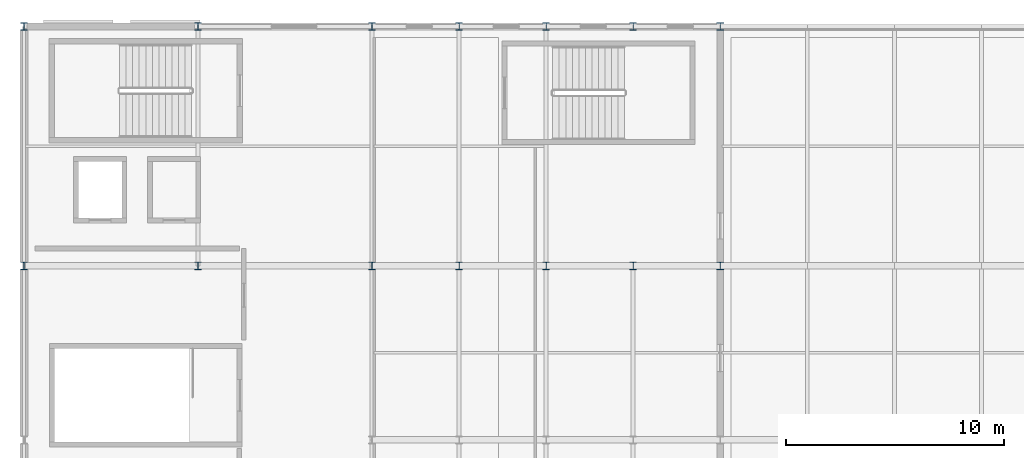
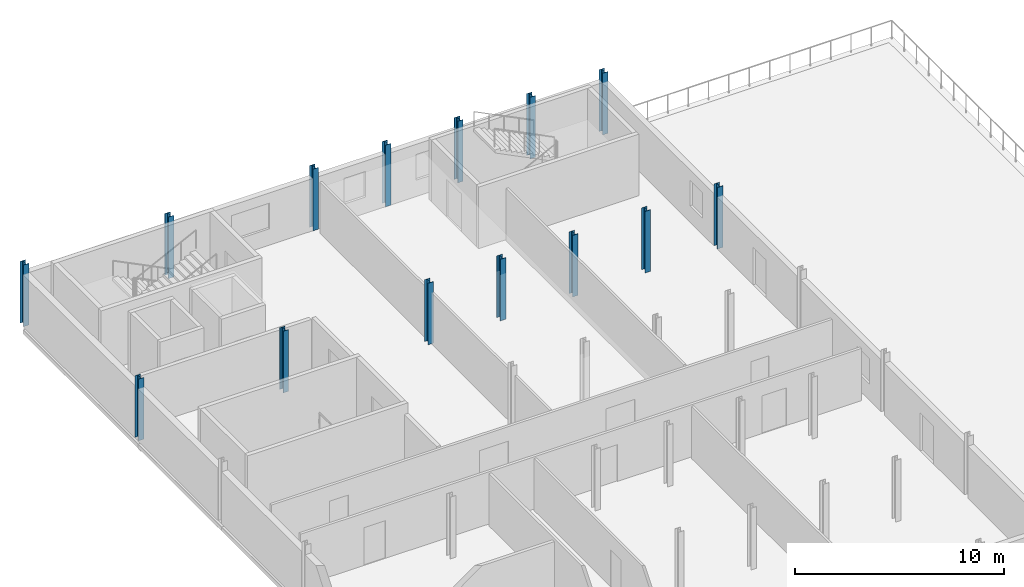
# One storey, part 2 of 11: 14 columns.
"""IFC4 building model written with IfcOpenShell, lengths in metres."""

from ifc_helpers import new_model, si_unit, derived_unit, direction, frame, origin, origin_2d, place, context, subcontext, project, spatial, i_section, extrude, material, material_profile, profile_set, type_object, element, save


model = new_model("IFC4")

# Units and contexts
model_context = context("Model", 3, precision=1e-05, world=origin(), true_north=direction((0.0, 1.0)))
body_context = subcontext(model_context, "Body", "Model", "MODEL_VIEW")
ifc_project = project(units=[si_unit("LENGTHUNIT", "METRE"), si_unit("AREAUNIT", "SQUARE_METRE"), si_unit("VOLUMEUNIT", "CUBIC_METRE"), si_unit("PLANEANGLEUNIT", "RADIAN"), si_unit("MASSUNIT", "GRAM", prefix="KILO"), derived_unit("THERMALTRANSMITTANCEUNIT", [(si_unit("POWERUNIT", "WATT"), 1), (si_unit("LENGTHUNIT", "METRE"), -2), (si_unit("THERMODYNAMICTEMPERATUREUNIT", "KELVIN"), -1)])], contexts=[model_context])

# Site, building, storey
site_placement = place(None, origin())
site = spatial("IfcSite", under=ifc_project, at=site_placement, CompositionType="ELEMENT")
building_placement = place(site_placement, origin())
building = spatial("IfcBuilding", under=site, at=building_placement, Name="Keldorne Ridge Multi-Sports Centre", CompositionType="ELEMENT")
storey_placement = place(building_placement, frame((0.0, 0.0, 18.60009765625)))
storey = spatial("IfcBuildingStorey", under=building, at=storey_placement, Name="L04", CompositionType="ELEMENT", Elevation=18.60009765625)

# Columns
ifc_material = material(Name="Steel S355", Category="steel")
ifc_material_profile = material_profile(ifc_material, i_section(OverallWidth=0.300048828125, OverallDepth=0.35009765625, WebThickness=0.010009765625, FlangeThickness=0.017578125, FilletRadius=0.027099609375, at=origin_2d()), Name="HEA 360")
ifc_profile_set = profile_set([ifc_material_profile], Name="Steel S355")
column_type = type_object("IfcColumnType", Name="COL-C-16", PredefinedType="COLUMN", material=ifc_profile_set)
for number, where, z_axis, x_axis, name in (
    (1, (104.0, 106.0, 0.0), (0.0, 0.0, 1.0), (1.0, 0.0, 0.0), "Structural column V5-C-01-06 on L04"),
    (2, (104.0, 117.0, 0.0), (0.0, 0.0, 1.0), (1.0, 0.0, 0.0), "Structural column V5-C-01-07 on L04"),
    (3, (112.0, 106.0, 0.0), (0.0, 0.0, 1.0), (1.0, 0.0, 0.0), "Structural column V5-C-02-06 on L04"),
    (4, (112.0, 117.0, 0.0), (0.0, 0.0, 1.0), (1.0, 0.0, 0.0), "Structural column V5-C-02-07 on L04"),
    (5, (120.0, 106.0, 0.0), (0.0, 0.0, 1.0), (1.0, 0.0, 0.0), "Structural column V5-C-03-06 on L04"),
    (6, (120.0, 117.0, 0.0), (0.0, 0.0, 1.0), (1.0, 0.0, 0.0), "Structural column V5-C-03-07 on L04"),
    (7, (124.0, 106.0, 0.0), (0.0, 0.0, 1.0), (1.0, 0.0, 0.0), "Structural column V5-C-04-06 on L04"),
    (8, (124.0, 117.0, 0.0), (0.0, 0.0, 1.0), (1.0, 0.0, 0.0), "Structural column V5-C-04-07 on L04"),
    (9, (128.0, 106.0, 0.0), (0.0, 0.0, 1.0), (1.0, 0.0, 0.0), "Structural column V5-C-05-06 on L04"),
    (10, (128.0, 117.0, 0.0), (0.0, 0.0, 1.0), (1.0, 0.0, 0.0), "Structural column V5-C-05-07 on L04"),
    (11, (132.0, 106.0, 0.0), (0.0, 0.0, 1.0), (1.0, 0.0, 0.0), "Structural column V5-C-06-06 on L04"),
    (12, (132.0, 117.0, 0.0), (0.0, 0.0, 1.0), (1.0, 0.0, 0.0), "Structural column V5-C-06-07 on L04"),
    (13, (136.0, 106.0, 0.0), (0.0, 0.0, 1.0), (1.0, 0.0, 0.0), "Structural column V5-C-07-06 on L04"),
    (14, (136.0, 117.0, 0.0), (0.0, 0.0, 1.0), (1.0, 0.0, 0.0), "Structural column V5-C-07-07 on L04"),
):
    element("IfcColumn", number, at=place(storey_placement, frame(where, z_axis=z_axis, x_axis=x_axis)), inside=storey, type_object=column_type, Name=name, PredefinedType="COLUMN", context=body_context, shape_type="SweptSolid", body=[
        extrude(i_section(OverallWidth=0.300048828125, OverallDepth=0.35009765625, WebThickness=0.010009765625, FlangeThickness=0.017578125, FilletRadius=0.027099609375, at=origin_2d()), origin(), (0.0, 0.0, 1.0), 3.599853515625),
    ])

save(model, "model.ifc")
